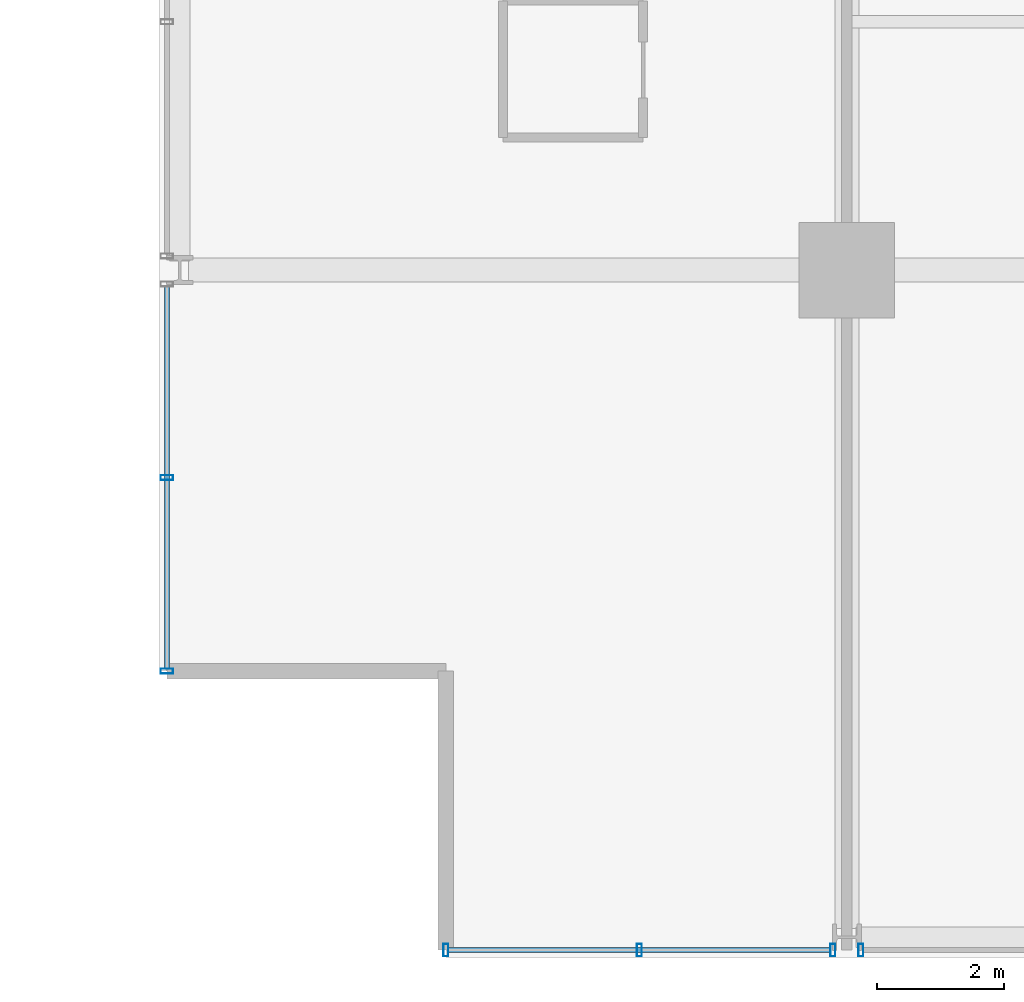
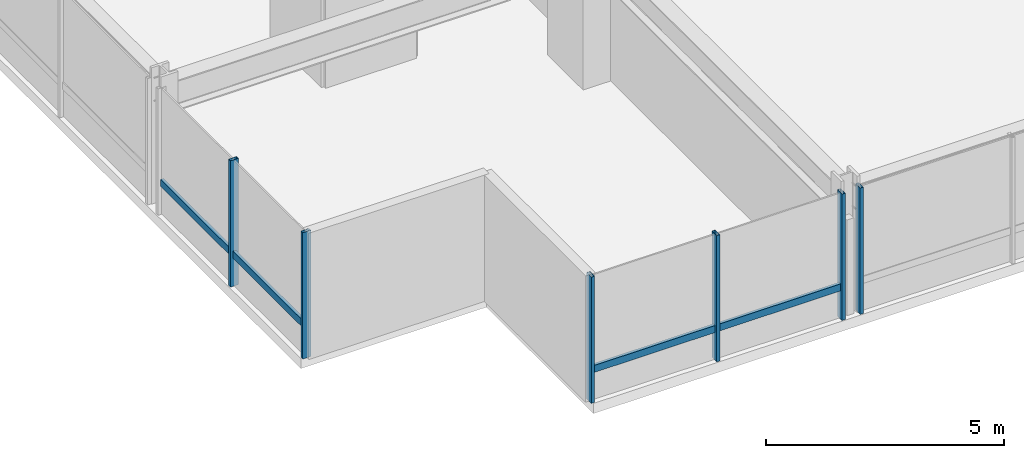
# One storey, part 2 of 34: 8 members, 3 elements without a shape of their own.
"""IFC4 building model written with IfcOpenShell, lengths in metres."""

from ifc_helpers import new_model, si_unit, direction, frame, origin, origin_2d, place, context, subcontext, project, spatial, hollow_rectangle, extrude, material, layer, layer_set, material_profile, profile_set, type_object, element, aggregate, save


model = new_model("IFC4")

# Units and contexts
model_context = context("Model", 3, precision=1e-05, world=origin(), true_north=direction((0.0, 1.0)))
body_context = subcontext(model_context, "Body", "Model", "MODEL_VIEW")
ifc_project = project(units=[si_unit("LENGTHUNIT", "METRE"), si_unit("AREAUNIT", "SQUARE_METRE"), si_unit("VOLUMEUNIT", "CUBIC_METRE"), si_unit("PLANEANGLEUNIT", "RADIAN"), si_unit("MASSUNIT", "GRAM", prefix="KILO")], contexts=[model_context])

# Site, building, storey
site_placement = place(None, origin())
site = spatial("IfcSite", under=ifc_project, at=site_placement, CompositionType="ELEMENT")
building_placement = place(site_placement, origin())
building = spatial("IfcBuilding", under=site, at=building_placement, Name="Drelvath Grand Hotel", CompositionType="ELEMENT")
storey_placement = place(building_placement, frame((0.0, 0.0, 109.300048828125)))
storey = spatial("IfcBuildingStorey", under=building, at=storey_placement, Name="L27", CompositionType="ELEMENT", Elevation=109.300048828125)

# Curtain wall, member
ifc_material = material(Name="Champagne Bronze Anodised Aluminium Frame", Category="aluminium")
ifc_layer = layer(ifc_material, 0.199951171875)
ifc_layer_set = layer_set([ifc_layer], Name="Champagne Bronze Anodised Aluminium Frame")
curtain_wall_type = type_object("IfcCurtainWallType", Name="Stick Curtain Wall CW-03 Champagne Bronze Mid-Rise", PredefinedType="NOTDEFINED", material=ifc_layer_set)
curtain_wall_1_placement = place(storey_placement, origin())
curtain_wall_1 = element("IfcCurtainWall", 1, at=curtain_wall_1_placement, inside=storey, type_object=curtain_wall_type, Name="L27 CW-03 Curtain Wall CW03-L27-WS1", PredefinedType="NOTDEFINED")
ifc_material_profile_1 = material_profile(ifc_material, hollow_rectangle(XDim=0.074951171875, YDim=0.179931640625, WallThickness=0.0048828125, at=origin_2d()), Name="HSS180X75X5")
ifc_profile_set_1 = profile_set([ifc_material_profile_1], Name="Champagne Bronze Anodised Aluminium Frame")
member_type_1 = type_object("IfcMemberType", Name="Curtain Wall Horizontal Transom CW-03 HSS180X75X5", PredefinedType="USERDEFINED", material=ifc_profile_set_1)
member_1_placement = place(storey_placement, frame((-26.8798828125, 4.5400390625, 0.81005859375), z_axis=(0.0, 1.0, 0.0), x_axis=(-1.0, 0.0, 0.0)))
member_1 = element("IfcMember", 2, at=member_1_placement, type_object=member_type_1, Name="CW03-L27-WS1 Sill Transom", ObjectType="TRANSOM", PredefinedType="USERDEFINED", context=body_context, shape_type="SweptSolid", body=[
    extrude(hollow_rectangle(XDim=0.074951171875, YDim=0.179931640625, WallThickness=0.0048828125, at=origin_2d()), origin(), (0.0, 0.0, 1.0), 6.000244140625),
])

curtain_wall_2_placement = place(storey_placement, origin())
curtain_wall_2 = element("IfcCurtainWall", 3, at=curtain_wall_2_placement, inside=storey, type_object=curtain_wall_type, Name="L27 CW-03 Curtain Wall CW03-L27-SW1", PredefinedType="NOTDEFINED")
member_2_placement = place(storey_placement, frame((-16.459716796875, 0.1201171875, 0.81005859375), z_axis=(-1.0, 0.0, 0.0), x_axis=(0.0, -1.0, 0.0)))
member_2 = element("IfcMember", 4, at=member_2_placement, type_object=member_type_1, Name="CW03-L27-SW1 Sill Transom", ObjectType="TRANSOM", PredefinedType="USERDEFINED", context=body_context, shape_type="SweptSolid", body=[
    extrude(hollow_rectangle(XDim=0.074951171875, YDim=0.179931640625, WallThickness=0.0048828125, at=origin_2d()), origin(), (0.0, 0.0, 1.0), 6.000244140625),
])

# Member
ifc_material_profile_2 = material_profile(ifc_material, hollow_rectangle(XDim=0.080078125, YDim=0.199951171875, WallThickness=0.0048828125, at=origin_2d()), Name="HSS200X80X5")
ifc_profile_set_2 = profile_set([ifc_material_profile_2], Name="Champagne Bronze Anodised Aluminium Frame")
member_type_2 = type_object("IfcMemberType", Name="Curtain Wall Vertical Mullion CW-03 HSS200X80X5", PredefinedType="MULLION", material=ifc_profile_set_2)
member_3_placement = place(storey_placement, frame((-26.8798828125, 4.5, 0.0), z_axis=(0.0, 0.0, 1.0), x_axis=(0.0, 1.0, 0.0)))
member_3 = element("IfcMember", 5, at=member_3_placement, type_object=member_type_2, Name="CW03-L27-WS1 Mullion 1", PredefinedType="MULLION", context=body_context, shape_type="SweptSolid", body=[
    extrude(hollow_rectangle(XDim=0.080078125, YDim=0.199951171875, WallThickness=0.0048828125, at=origin_2d()), origin(), (0.0, 0.0, 1.0), 3.239990234375),
])

member_4_placement = place(storey_placement, frame((-26.8798828125, 7.540283203125, 0.0), z_axis=(0.0, 0.0, 1.0), x_axis=(0.0, 1.0, 0.0)))
member_4 = element("IfcMember", 6, at=member_4_placement, type_object=member_type_2, Name="CW03-L27-WS1 Mullion 2", PredefinedType="MULLION", context=body_context, shape_type="SweptSolid", body=[
    extrude(hollow_rectangle(XDim=0.080078125, YDim=0.199951171875, WallThickness=0.0048828125, at=origin_2d()), origin(), (0.0, 0.0, 1.0), 3.239990234375),
])

aggregate(curtain_wall_1, [member_3, member_4, member_1])

member_5_placement = place(storey_placement, frame((-16.419677734375, 0.1201171875, 0.0), z_axis=(0.0, 0.0, 1.0), x_axis=(1.0, 0.0, 0.0)))
member_5 = element("IfcMember", 7, at=member_5_placement, type_object=member_type_2, Name="CW03-L27-SW1 Mullion 1", PredefinedType="MULLION", context=body_context, shape_type="SweptSolid", body=[
    extrude(hollow_rectangle(XDim=0.080078125, YDim=0.199951171875, WallThickness=0.0048828125, at=origin_2d()), origin(), (0.0, 0.0, 1.0), 3.239990234375),
])

member_6_placement = place(storey_placement, frame((-19.459716796875, 0.1201171875, 0.0), z_axis=(0.0, 0.0, 1.0), x_axis=(1.0, 0.0, 0.0)))
member_6 = element("IfcMember", 8, at=member_6_placement, type_object=member_type_2, Name="CW03-L27-SW1 Mullion 2", PredefinedType="MULLION", context=body_context, shape_type="SweptSolid", body=[
    extrude(hollow_rectangle(XDim=0.080078125, YDim=0.199951171875, WallThickness=0.0048828125, at=origin_2d()), origin(), (0.0, 0.0, 1.0), 3.239990234375),
])

member_7_placement = place(storey_placement, frame((-22.5, 0.1201171875, 0.0), z_axis=(0.0, 0.0, 1.0), x_axis=(1.0, 0.0, 0.0)))
member_7 = element("IfcMember", 9, at=member_7_placement, type_object=member_type_2, Name="CW03-L27-SW1 Mullion 3", PredefinedType="MULLION", context=body_context, shape_type="SweptSolid", body=[
    extrude(hollow_rectangle(XDim=0.080078125, YDim=0.199951171875, WallThickness=0.0048828125, at=origin_2d()), origin(), (0.0, 0.0, 1.0), 3.239990234375),
])

aggregate(curtain_wall_2, [member_5, member_6, member_7, member_2])

# Curtain wall, member
curtain_wall_3_placement = place(storey_placement, origin())
curtain_wall_3 = element("IfcCurtainWall", 10, at=curtain_wall_3_placement, inside=storey, type_object=curtain_wall_type, Name="L27 CW-03 Curtain Wall CW03-L27-SW2", PredefinedType="NOTDEFINED")
member_8_placement = place(storey_placement, frame((-15.98046875, 0.1201171875, 0.0), z_axis=(0.0, 0.0, 1.0), x_axis=(1.0, 0.0, 0.0)))
member_8 = element("IfcMember", 11, at=member_8_placement, type_object=member_type_2, Name="CW03-L27-SW2 Mullion 3", PredefinedType="MULLION", context=body_context, shape_type="SweptSolid", body=[
    extrude(hollow_rectangle(XDim=0.080078125, YDim=0.199951171875, WallThickness=0.0048828125, at=origin_2d()), origin(), (0.0, 0.0, 1.0), 3.239990234375),
])
aggregate(curtain_wall_3, [member_8])

save(model, "model.ifc")
